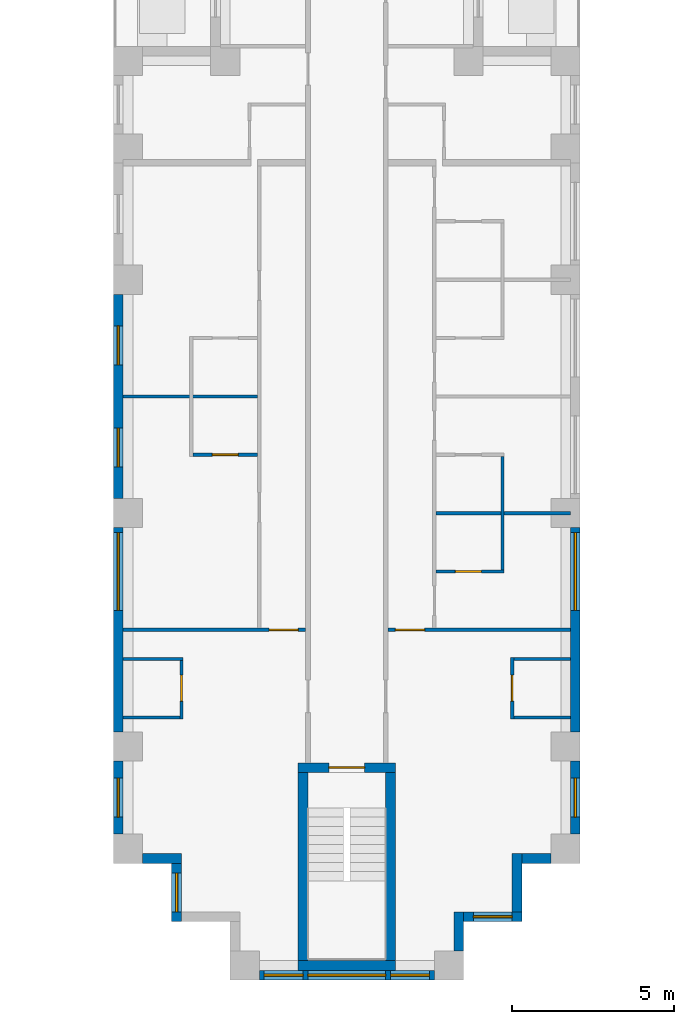
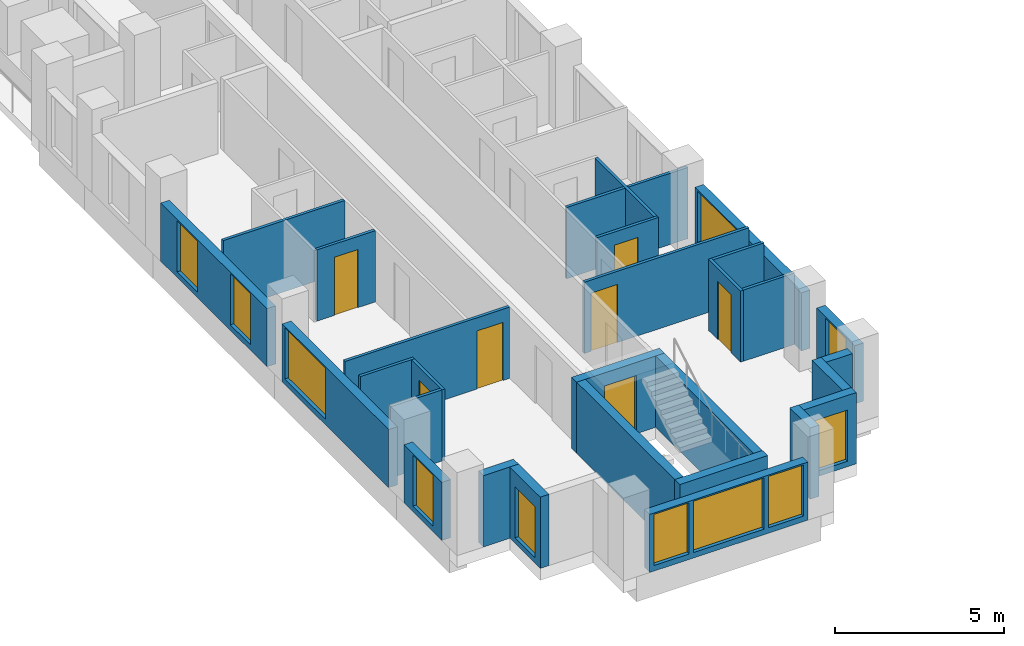
# One storey, part 3 of 15: 29 walls, 11 windows, 7 doors, 18 openings.
"""IFC4 building model written with IfcOpenShell, lengths in metres."""

from ifc_helpers import new_model, si_unit, direction, frame, frame_2d, origin, place, context, subcontext, project, spatial, rectangle, extrude, material, layer, layer_set, type_object, element, fill, save


model = new_model("IFC4")

# Units and contexts
model_context = context("Model", 3, precision=1e-05, world=origin(), true_north=direction((0.0, 1.0)))
body_context = subcontext(model_context, "Body", "Model", "MODEL_VIEW")
ifc_project = project(units=[si_unit("LENGTHUNIT", "METRE"), si_unit("AREAUNIT", "SQUARE_METRE"), si_unit("VOLUMEUNIT", "CUBIC_METRE"), si_unit("PLANEANGLEUNIT", "RADIAN"), si_unit("MASSUNIT", "GRAM", prefix="KILO")], contexts=[model_context])

# Site, building, storey
site_placement = place(None, origin())
site = spatial("IfcSite", under=ifc_project, at=site_placement, CompositionType="ELEMENT")
building_placement = place(site_placement, origin())
building = spatial("IfcBuilding", under=site, at=building_placement, Name="Fustian Cross Tower", CompositionType="ELEMENT")
storey_placement = place(building_placement, frame((0.0, 0.0, 29.699951171875)))
storey = spatial("IfcBuildingStorey", under=building, at=storey_placement, Name="L08", CompositionType="ELEMENT", Elevation=29.699951171875)

# Walls
ifc_material_1 = material(Name="Plasterboard on steel stud", Category="steel")
ifc_layer_1 = layer(ifc_material_1, 0.10009765625)
ifc_layer_set_1 = layer_set([ifc_layer_1], Name="Plasterboard on steel stud")
wall_type_1 = type_object("IfcWallType", Name="PARTITION 100 STUD", PredefinedType="PARTITIONING", material=ifc_layer_set_1)
wall_1_placement = place(storey_placement, frame((-6.89990234375, -35.10009765625, 0.0), z_axis=(0.0, 0.0, 1.0), x_axis=(1.0, 0.0, 0.0)))
element("IfcWall", 1, at=wall_1_placement, inside=storey, type_object=wall_type_1, Name="Partition 9", PredefinedType="PARTITIONING", context=body_context, shape_type="SweptSolid", body=[
    extrude(rectangle(XDim=1.75, YDim=0.10009765625, at=frame_2d((0.875, 0.0))), origin(), (0.0, 0.0, 1.0), 2.574951171875),
])
wall_2_placement = place(storey_placement, frame((-6.89990234375, -33.300048828125, 0.0), z_axis=(0.0, 0.0, 1.0), x_axis=(1.0, 0.0, 0.0)))
element("IfcWall", 2, at=wall_2_placement, inside=storey, type_object=wall_type_1, Name="Partition 10", PredefinedType="PARTITIONING", context=body_context, shape_type="SweptSolid", body=[
    extrude(rectangle(XDim=1.849853515625, YDim=0.10009765625, at=frame_2d((0.9248046875, 0.0))), origin(), (0.0, 0.0, 1.0), 2.574951171875),
])

# Wall, opening, door
wall_3_placement = place(storey_placement, frame((-6.89990234375, -32.39990234375, 0.0), z_axis=(0.0, 0.0, 1.0), x_axis=(1.0, 0.0, 0.0)))
wall_3 = element("IfcWall", 3, at=wall_3_placement, inside=storey, type_object=wall_type_1, Name="Partition 11", PredefinedType="PARTITIONING", context=body_context, shape_type="SweptSolid", body=[
    extrude(rectangle(XDim=5.625, YDim=0.10009765625, at=frame_2d((2.8125, 0.0))), origin(), (0.0, 0.0, 1.0), 2.574951171875),
])
opening_1_placement = place(wall_3_placement, frame((4.5, 0.0, 0.0)))
opening_1 = element("IfcOpeningElement", 4, at=opening_1_placement, cuts=wall_3, Name="Opening D06069", PredefinedType="OPENING", context=body_context, shape_type="SweptSolid", body=[
    extrude(rectangle(XDim=0.89990234375, YDim=2.10009765625, at=frame_2d((0.449951171875, 1.050048828125))), frame((0.0, 0.06005859375, 0.0), z_axis=(0.0, -1.0, 0.0), x_axis=(1.0, 0.0, 0.0)), (0.0, 0.0, 1.0), 0.1201171875),
])
ifc_material_2 = material(Name="Painted timber", Category="wood")
door_type_1 = type_object("IfcDoorType", Name="SWING DOOR 900", OperationType="SINGLE_SWING_LEFT", PredefinedType="DOOR", material=ifc_material_2)
door_1_placement = place(opening_1_placement, origin())
door_1 = element("IfcDoor", 5, at=door_1_placement, inside=storey, type_object=door_type_1, Name="Door D06069", OperationType="SINGLE_SWING_LEFT", OverallHeight=2.10009765625, OverallWidth=0.89990234375, PredefinedType="DOOR", context=body_context, shape_type="SweptSolid", body=[
    extrude(rectangle(XDim=0.89990234375, YDim=2.10009765625, at=frame_2d((0.449951171875, 1.050048828125))), frame((0.0, 0.02490234375, 0.0), z_axis=(0.0, -1.0, 0.0), x_axis=(1.0, 0.0, 0.0)), (0.0, 0.0, 1.0), 0.050048828125),
])
fill(opening_1, door_1)

# Wall
wall_4_placement = place(storey_placement, frame((-6.89990234375, -25.199951171875, 0.0), z_axis=(0.0, 0.0, 1.0), x_axis=(1.0, 0.0, 0.0)))
element("IfcWall", 6, at=wall_4_placement, inside=storey, type_object=wall_type_1, Name="Partition 12", PredefinedType="PARTITIONING", context=body_context, shape_type="SweptSolid", body=[
    extrude(rectangle(XDim=4.14990234375, YDim=0.10009765625, at=frame_2d((2.074951171875, 0.0))), origin(), (0.0, 0.0, 1.0), 2.574951171875),
])

# Wall, opening, door
wall_5_placement = place(storey_placement, frame((-5.10009765625, -35.14990234375, 0.0), z_axis=(0.0, 0.0, 1.0), x_axis=(0.0, 1.0, 0.0)))
wall_5 = element("IfcWall", 7, at=wall_5_placement, inside=storey, type_object=wall_type_1, Name="Partition 24", PredefinedType="PARTITIONING", context=body_context, shape_type="SweptSolid", body=[
    extrude(rectangle(XDim=1.7998046875, YDim=0.10009765625, at=frame_2d((0.89990234375, 0.0))), origin(), (0.0, 0.0, 1.0), 2.574951171875),
])
opening_2_placement = place(wall_5_placement, frame((0.550048828125, 0.0, 0.0)))
opening_2 = element("IfcOpeningElement", 8, at=opening_2_placement, cuts=wall_5, Name="Opening D06065", PredefinedType="OPENING", context=body_context, shape_type="SweptSolid", body=[
    extrude(rectangle(XDim=0.800048828125, YDim=2.10009765625, at=frame_2d((0.39990234375, 1.050048828125))), frame((0.0, 0.06005859375, 0.0), z_axis=(0.0, -1.0, 0.0), x_axis=(1.0, 0.0, 0.0)), (0.0, 0.0, 1.0), 0.1201171875),
])
ifc_material_3 = material(Name="Painted timber", Category="wood")
door_type_2 = type_object("IfcDoorType", Name="SWING DOOR 800", OperationType="SINGLE_SWING_LEFT", PredefinedType="DOOR", material=ifc_material_3)
door_2_placement = place(opening_2_placement, origin())
door_2 = element("IfcDoor", 9, at=door_2_placement, inside=storey, type_object=door_type_2, Name="Door D06065", OperationType="SINGLE_SWING_RIGHT", OverallHeight=2.10009765625, OverallWidth=0.800048828125, PredefinedType="DOOR", context=body_context, shape_type="SweptSolid", body=[
    extrude(rectangle(XDim=0.800048828125, YDim=2.10009765625, at=frame_2d((0.39990234375, 1.050048828125))), frame((0.0, 0.02490234375, 0.0), z_axis=(0.0, -1.0, 0.0), x_axis=(1.0, 0.0, 0.0)), (0.0, 0.0, 1.0), 0.050048828125),
])
fill(opening_2, door_2)

wall_6_placement = place(storey_placement, frame((-4.75, -27.0, 0.0), z_axis=(0.0, 0.0, 1.0), x_axis=(1.0, 0.0, 0.0)))
wall_6 = element("IfcWall", 10, at=wall_6_placement, inside=storey, type_object=wall_type_1, Name="Partition 27", PredefinedType="PARTITIONING", context=body_context, shape_type="SweptSolid", body=[
    extrude(rectangle(XDim=2.0, YDim=0.10009765625, at=frame_2d((1.0, 0.0))), origin(), (0.0, 0.0, 1.0), 2.574951171875),
])
opening_3_placement = place(wall_6_placement, frame((0.60009765625, 0.0, 0.0)))
opening_3 = element("IfcOpeningElement", 11, at=opening_3_placement, cuts=wall_6, Name="Opening D06071", PredefinedType="OPENING", context=body_context, shape_type="SweptSolid", body=[
    extrude(rectangle(XDim=0.800048828125, YDim=2.10009765625, at=frame_2d((0.39990234375, 1.050048828125))), frame((0.0, 0.06005859375, 0.0), z_axis=(0.0, -1.0, 0.0), x_axis=(1.0, 0.0, 0.0)), (0.0, 0.0, 1.0), 0.1201171875),
])
door_3_placement = place(opening_3_placement, origin())
door_3 = element("IfcDoor", 12, at=door_3_placement, inside=storey, type_object=door_type_2, Name="Door D06071", OperationType="SINGLE_SWING_LEFT", OverallHeight=2.10009765625, OverallWidth=0.800048828125, PredefinedType="DOOR", context=body_context, shape_type="SweptSolid", body=[
    extrude(rectangle(XDim=0.800048828125, YDim=2.10009765625, at=frame_2d((0.39990234375, 1.050048828125))), frame((0.0, 0.02490234375, 0.0), z_axis=(0.0, -1.0, 0.0), x_axis=(1.0, 0.0, 0.0)), (0.0, 0.0, 1.0), 0.050048828125),
])
fill(opening_3, door_3)

wall_7_placement = place(storey_placement, frame((1.27490234375, -32.39990234375, 0.0), z_axis=(0.0, 0.0, 1.0), x_axis=(1.0, 0.0, 0.0)))
wall_7 = element("IfcWall", 13, at=wall_7_placement, inside=storey, type_object=wall_type_1, Name="Partition 48", PredefinedType="PARTITIONING", context=body_context, shape_type="SweptSolid", body=[
    extrude(rectangle(XDim=5.625, YDim=0.10009765625, at=frame_2d((2.8125, 0.0))), origin(), (0.0, 0.0, 1.0), 2.574951171875),
])
opening_4_placement = place(wall_7_placement, frame((0.22509765625, 0.0, 0.0)))
opening_4 = element("IfcOpeningElement", 14, at=opening_4_placement, cuts=wall_7, Name="Opening D06053", PredefinedType="OPENING", context=body_context, shape_type="SweptSolid", body=[
    extrude(rectangle(XDim=0.89990234375, YDim=2.10009765625, at=frame_2d((0.449951171875, 1.050048828125))), frame((0.0, 0.06005859375, 0.0), z_axis=(0.0, -1.0, 0.0), x_axis=(1.0, 0.0, 0.0)), (0.0, 0.0, 1.0), 0.1201171875),
])
door_4_placement = place(opening_4_placement, origin())
door_4 = element("IfcDoor", 15, at=door_4_placement, inside=storey, type_object=door_type_1, Name="Door D06053", OperationType="SINGLE_SWING_LEFT", OverallHeight=2.10009765625, OverallWidth=0.89990234375, PredefinedType="DOOR", context=body_context, shape_type="SweptSolid", body=[
    extrude(rectangle(XDim=0.89990234375, YDim=2.10009765625, at=frame_2d((0.449951171875, 1.050048828125))), frame((0.0, 0.02490234375, 0.0), z_axis=(0.0, -1.0, 0.0), x_axis=(1.0, 0.0, 0.0)), (0.0, 0.0, 1.0), 0.050048828125),
])
fill(opening_4, door_4)

wall_8_placement = place(storey_placement, frame((2.75, -30.60009765625, 0.0), z_axis=(0.0, 0.0, 1.0), x_axis=(1.0, 0.0, 0.0)))
wall_8 = element("IfcWall", 16, at=wall_8_placement, inside=storey, type_object=wall_type_1, Name="Partition 63", PredefinedType="PARTITIONING", context=body_context, shape_type="SweptSolid", body=[
    extrude(rectangle(XDim=2.10009765625, YDim=0.10009765625, at=frame_2d((1.050048828125, 0.0))), origin(), (0.0, 0.0, 1.0), 2.574951171875),
])
opening_5_placement = place(wall_8_placement, frame((0.60009765625, 0.0, 0.0)))
opening_5 = element("IfcOpeningElement", 17, at=opening_5_placement, cuts=wall_8, Name="Opening D06061", PredefinedType="OPENING", context=body_context, shape_type="SweptSolid", body=[
    extrude(rectangle(XDim=0.800048828125, YDim=2.10009765625, at=frame_2d((0.39990234375, 1.050048828125))), frame((0.0, 0.06005859375, 0.0), z_axis=(0.0, -1.0, 0.0), x_axis=(1.0, 0.0, 0.0)), (0.0, 0.0, 1.0), 0.1201171875),
])
door_5_placement = place(opening_5_placement, origin())
door_5 = element("IfcDoor", 18, at=door_5_placement, inside=storey, type_object=door_type_2, Name="Door D06061", OperationType="SINGLE_SWING_LEFT", OverallHeight=2.10009765625, OverallWidth=0.800048828125, PredefinedType="DOOR", context=body_context, shape_type="SweptSolid", body=[
    extrude(rectangle(XDim=0.800048828125, YDim=2.10009765625, at=frame_2d((0.39990234375, 1.050048828125))), frame((0.0, 0.02490234375, 0.0), z_axis=(0.0, -1.0, 0.0), x_axis=(1.0, 0.0, 0.0)), (0.0, 0.0, 1.0), 0.050048828125),
])
fill(opening_5, door_5)

# Walls
wall_9_placement = place(storey_placement, frame((2.75, -28.800048828125, 0.0), z_axis=(0.0, 0.0, 1.0), x_axis=(1.0, 0.0, 0.0)))
element("IfcWall", 19, at=wall_9_placement, inside=storey, type_object=wall_type_1, Name="Partition 64", PredefinedType="PARTITIONING", context=body_context, shape_type="SweptSolid", body=[
    extrude(rectangle(XDim=4.14990234375, YDim=0.10009765625, at=frame_2d((2.074951171875, 0.0))), origin(), (0.0, 0.0, 1.0), 2.574951171875),
])
wall_10_placement = place(storey_placement, frame((4.800048828125, -30.550048828125, 0.0), z_axis=(0.0, 0.0, 1.0), x_axis=(0.0, 1.0, 0.0)))
element("IfcWall", 20, at=wall_10_placement, inside=storey, type_object=wall_type_1, Name="Partition 78", PredefinedType="PARTITIONING", context=body_context, shape_type="SweptSolid", body=[
    extrude(rectangle(XDim=3.5, YDim=0.10009765625, at=frame_2d((1.75, 0.0))), origin(), (0.0, 0.0, 1.0), 2.574951171875),
])

# Wall, opening, door
wall_11_placement = place(storey_placement, frame((5.10009765625, -35.14990234375, 0.0), z_axis=(0.0, 0.0, 1.0), x_axis=(0.0, 1.0, 0.0)))
wall_11 = element("IfcWall", 21, at=wall_11_placement, inside=storey, type_object=wall_type_1, Name="Partition 81", PredefinedType="PARTITIONING", context=body_context, shape_type="SweptSolid", body=[
    extrude(rectangle(XDim=1.89990234375, YDim=0.10009765625, at=frame_2d((0.949951171875, 0.0))), origin(), (0.0, 0.0, 1.0), 2.574951171875),
])
opening_6_placement = place(wall_11_placement, frame((0.550048828125, 0.0, 0.0)))
opening_6 = element("IfcOpeningElement", 22, at=opening_6_placement, cuts=wall_11, Name="Opening D06051", PredefinedType="OPENING", context=body_context, shape_type="SweptSolid", body=[
    extrude(rectangle(XDim=0.800048828125, YDim=2.10009765625, at=frame_2d((0.39990234375, 1.050048828125))), frame((0.0, 0.06005859375, 0.0), z_axis=(0.0, -1.0, 0.0), x_axis=(1.0, 0.0, 0.0)), (0.0, 0.0, 1.0), 0.1201171875),
])
door_6_placement = place(opening_6_placement, frame((0.800048828125, 0.0, 0.0), z_axis=(0.0, 0.0, 1.0), x_axis=(-1.0, 0.0, 0.0)))
door_6 = element("IfcDoor", 23, at=door_6_placement, inside=storey, type_object=door_type_2, Name="Door D06051", OperationType="SINGLE_SWING_LEFT", OverallHeight=2.10009765625, OverallWidth=0.800048828125, PredefinedType="DOOR", context=body_context, shape_type="SweptSolid", body=[
    extrude(rectangle(XDim=0.800048828125, YDim=2.10009765625, at=frame_2d((0.39990234375, 1.050048828125))), frame((0.0, 0.02490234375, 0.0), z_axis=(0.0, -1.0, 0.0), x_axis=(1.0, 0.0, 0.0)), (0.0, 0.0, 1.0), 0.050048828125),
])
fill(opening_6, door_6)

# Walls
for number, where, z_axis, x_axis, name in (
    (24, (5.14990234375, -35.10009765625, 0.0), (0.0, 0.0, 1.0), (1.0, 0.0, 0.0), "Partition 82"),
    (25, (5.14990234375, -33.300048828125, 0.0), (0.0, 0.0, 1.0), (1.0, 0.0, 0.0), "Partition 83"),
):
    element("IfcWall", number, at=place(storey_placement, frame(where, z_axis=z_axis, x_axis=x_axis)), inside=storey, type_object=wall_type_1, Name=name, PredefinedType="PARTITIONING", context=body_context, shape_type="SweptSolid", body=[
        extrude(rectangle(XDim=1.75, YDim=0.10009765625, at=frame_2d((0.875, 0.0))), origin(), (0.0, 0.0, 1.0), 2.574951171875),
    ])

# Wall, opening, door
ifc_material_4 = material(Name="Concrete C50/60", Category="concrete")
ifc_layer_2 = layer(ifc_material_4, 0.300048828125)
ifc_layer_set_2 = layer_set([ifc_layer_2], Name="Concrete C50/60")
wall_type_2 = type_object("IfcWallType", Name="STAIR ENCLOSURE WALL 300 C50/60", PredefinedType="SHEAR", material=ifc_layer_set_2)
wall_12_placement = place(storey_placement, frame((-1.5, -36.64990234375, 0.0), z_axis=(0.0, 0.0, 1.0), x_axis=(1.0, 0.0, 0.0)))
wall_12 = element("IfcWall", 26, at=wall_12_placement, inside=storey, type_object=wall_type_2, Name="Stair enclosure wall", PredefinedType="SHEAR", context=body_context, shape_type="SweptSolid", body=[
    extrude(rectangle(XDim=3.0, YDim=0.300048828125, at=frame_2d((1.5, 0.0))), origin(), (0.0, 0.0, 1.0), 2.574951171875),
])
opening_7_placement = place(wall_12_placement, frame((0.949951171875, 0.0, 0.0)))
opening_7 = element("IfcOpeningElement", 27, at=opening_7_placement, cuts=wall_12, Name="Opening CD-06-32", PredefinedType="OPENING", context=body_context, shape_type="SweptSolid", body=[
    extrude(rectangle(XDim=1.10009765625, YDim=2.10009765625, at=frame_2d((0.550048828125, 1.050048828125))), frame((0.0, 0.159912109375, 0.0), z_axis=(0.0, -1.0, 0.0), x_axis=(1.0, 0.0, 0.0)), (0.0, 0.0, 1.0), 0.320068359375),
])
ifc_material_5 = material(Name="Steel", Category="steel")
door_type_3 = type_object("IfcDoorType", Name="FIRE DOOR FD60S 1100X2100", OperationType="SINGLE_SWING_LEFT", PredefinedType="DOOR", material=ifc_material_5)
door_7_placement = place(opening_7_placement, frame((1.10009765625, 0.0, 0.0), z_axis=(0.0, 0.0, 1.0), x_axis=(-1.0, 0.0, 0.0)))
door_7 = element("IfcDoor", 28, at=door_7_placement, inside=storey, type_object=door_type_3, Name="Core door CD-06-32", OperationType="SINGLE_SWING_RIGHT", OverallHeight=2.10009765625, OverallWidth=1.10009765625, PredefinedType="DOOR", context=body_context, shape_type="SweptSolid", body=[
    extrude(rectangle(XDim=1.10009765625, YDim=2.10009765625, at=frame_2d((0.550048828125, 1.050048828125))), frame((0.0, 0.02490234375, 0.0), z_axis=(0.0, -1.0, 0.0), x_axis=(1.0, 0.0, 0.0)), (0.0, 0.0, 1.0), 0.050048828125),
])
fill(opening_7, door_7)

# Walls
wall_13_placement = place(storey_placement, frame((-1.5, -42.75, 0.0), z_axis=(0.0, 0.0, 1.0), x_axis=(1.0, 0.0, 0.0)))
element("IfcWall", 29, at=wall_13_placement, inside=storey, type_object=wall_type_2, Name="Stair enclosure wall", PredefinedType="SHEAR", context=body_context, shape_type="SweptSolid", body=[
    extrude(rectangle(XDim=3.0, YDim=0.300048828125, at=frame_2d((1.5, 0.0))), origin(), (0.0, 0.0, 1.0), 2.574951171875),
])
for number, where, z_axis, x_axis, name in (
    (30, (-1.35009765625, -36.800048828125, 0.0), (0.0, 0.0, 1.0), (0.0, -1.0, 0.0), "Stair enclosure wall"),
    (31, (1.35009765625, -36.800048828125, 0.0), (0.0, 0.0, 1.0), (0.0, -1.0, 0.0), "Stair enclosure wall"),
):
    element("IfcWall", number, at=place(storey_placement, frame(where, z_axis=z_axis, x_axis=x_axis)), inside=storey, type_object=wall_type_2, Name=name, PredefinedType="SHEAR", context=body_context, shape_type="SweptSolid", body=[
        extrude(rectangle(XDim=5.800048828125, YDim=0.300048828125, at=frame_2d((2.89990234375, 0.0))), origin(), (0.0, 0.0, 1.0), 2.574951171875),
    ])

# Wall, openings, windows
ifc_material_6 = material(Name="Dark aluminium cladding on insulated backing wall", Category="aluminium")
ifc_layer_3 = layer(ifc_material_6, 0.300048828125)
ifc_layer_set_3 = layer_set([ifc_layer_3], Name="Dark aluminium cladding on insulated backing wall")
wall_type_3 = type_object("IfcWallType", Name="XW1 EXTERNAL WALL 300", PredefinedType="SOLIDWALL", material=ifc_layer_set_3)
wall_14_placement = place(storey_placement, frame((-7.050048828125, -22.050048828125, 0.0), z_axis=(0.0, 0.0, 1.0), x_axis=(0.0, -1.0, 0.0)))
wall_14 = element("IfcWall", 32, at=wall_14_placement, inside=storey, type_object=wall_type_3, Name="External wall", PredefinedType="SOLIDWALL", context=body_context, shape_type="SweptSolid", body=[
    extrude(rectangle(XDim=6.300048828125, YDim=0.300048828125, at=frame_2d((3.14990234375, 0.0))), origin(), (0.0, 0.0, 1.0), 2.10009765625),
])
opening_8_placement = place(wall_14_placement, frame((0.97509765625, 0.0, 0.199951171875)))
opening_8 = element("IfcOpeningElement", 33, at=opening_8_placement, cuts=wall_14, Name="Opening WN3", PredefinedType="OPENING", context=body_context, shape_type="SweptSolid", body=[
    extrude(rectangle(XDim=1.199951171875, YDim=1.85009765625, at=frame_2d((0.60009765625, 0.925048828125))), frame((0.0, 0.159912109375, 0.0), z_axis=(0.0, -1.0, 0.0), x_axis=(1.0, 0.0, 0.0)), (0.0, 0.0, 1.0), 0.320068359375),
])
opening_9_placement = place(wall_14_placement, frame((4.125, 0.0, 0.199951171875)))
opening_9 = element("IfcOpeningElement", 34, at=opening_9_placement, cuts=wall_14, Name="Opening WN3", PredefinedType="OPENING", context=body_context, shape_type="SweptSolid", body=[
    extrude(rectangle(XDim=1.199951171875, YDim=1.85009765625, at=frame_2d((0.60009765625, 0.925048828125))), frame((0.0, 0.159912109375, 0.0), z_axis=(0.0, -1.0, 0.0), x_axis=(1.0, 0.0, 0.0)), (0.0, 0.0, 1.0), 0.320068359375),
])
ifc_material_7 = material(Name="Dark anodised aluminium and double glazing", Category="aluminium")
window_type_1 = type_object("IfcWindowType", Name="WN3 WINDOW 1200X1850", PartitioningType="SINGLE_PANEL", PredefinedType="WINDOW", material=ifc_material_7)
window_1_placement = place(opening_8_placement, origin())
window_1 = element("IfcWindow", 35, at=window_1_placement, inside=storey, type_object=window_type_1, Name="Window", OverallHeight=1.85009765625, OverallWidth=1.199951171875, PartitioningType="SINGLE_PANEL", PredefinedType="WINDOW", context=body_context, shape_type="SweptSolid", body=[
    extrude(rectangle(XDim=1.199951171875, YDim=1.85009765625, at=frame_2d((0.60009765625, 0.925048828125))), frame((0.0, 0.030029296875, 0.0), z_axis=(0.0, -1.0, 0.0), x_axis=(1.0, 0.0, 0.0)), (0.0, 0.0, 1.0), 0.06005859375),
])
fill(opening_8, window_1)
window_2_placement = place(opening_9_placement, origin())
window_2 = element("IfcWindow", 36, at=window_2_placement, inside=storey, type_object=window_type_1, Name="Window", OverallHeight=1.85009765625, OverallWidth=1.199951171875, PartitioningType="SINGLE_PANEL", PredefinedType="WINDOW", context=body_context, shape_type="SweptSolid", body=[
    extrude(rectangle(XDim=1.199951171875, YDim=1.85009765625, at=frame_2d((0.60009765625, 0.925048828125))), frame((0.0, 0.030029296875, 0.0), z_axis=(0.0, -1.0, 0.0), x_axis=(1.0, 0.0, 0.0)), (0.0, 0.0, 1.0), 0.06005859375),
])
fill(opening_9, window_2)

# Wall, opening, window
wall_15_placement = place(storey_placement, frame((-7.050048828125, -29.25, 0.0), z_axis=(0.0, 0.0, 1.0), x_axis=(0.0, -1.0, 0.0)))
wall_15 = element("IfcWall", 37, at=wall_15_placement, inside=storey, type_object=wall_type_3, Name="External wall", PredefinedType="SOLIDWALL", context=body_context, shape_type="SweptSolid", body=[
    extrude(rectangle(XDim=6.300048828125, YDim=0.300048828125, at=frame_2d((3.14990234375, 0.0))), origin(), (0.0, 0.0, 1.0), 2.10009765625),
])
opening_10_placement = place(wall_15_placement, frame((0.14990234375, 0.0, 0.199951171875)))
opening_10 = element("IfcOpeningElement", 38, at=opening_10_placement, cuts=wall_15, Name="Opening WN1", PredefinedType="OPENING", context=body_context, shape_type="SweptSolid", body=[
    extrude(rectangle(XDim=2.39990234375, YDim=1.85009765625, at=frame_2d((1.199951171875, 0.925048828125))), frame((0.0, 0.159912109375, 0.0), z_axis=(0.0, -1.0, 0.0), x_axis=(1.0, 0.0, 0.0)), (0.0, 0.0, 1.0), 0.320068359375),
])
ifc_material_8 = material(Name="Dark anodised aluminium and double glazing", Category="aluminium")
window_type_2 = type_object("IfcWindowType", Name="WN1 WINDOW 2400X1850", PartitioningType="SINGLE_PANEL", PredefinedType="WINDOW", material=ifc_material_8)
window_3_placement = place(opening_10_placement, origin())
window_3 = element("IfcWindow", 39, at=window_3_placement, inside=storey, type_object=window_type_2, Name="Window", OverallHeight=1.85009765625, OverallWidth=2.39990234375, PartitioningType="SINGLE_PANEL", PredefinedType="WINDOW", context=body_context, shape_type="SweptSolid", body=[
    extrude(rectangle(XDim=2.39990234375, YDim=1.85009765625, at=frame_2d((1.199951171875, 0.925048828125))), frame((0.0, 0.030029296875, 0.0), z_axis=(0.0, -1.0, 0.0), x_axis=(1.0, 0.0, 0.0)), (0.0, 0.0, 1.0), 0.06005859375),
])
fill(opening_10, window_3)

wall_16_placement = place(storey_placement, frame((-7.050048828125, -36.449951171875, 0.0), z_axis=(0.0, 0.0, 1.0), x_axis=(0.0, -1.0, 0.0)))
wall_16 = element("IfcWall", 40, at=wall_16_placement, inside=storey, type_object=wall_type_3, Name="External wall", PredefinedType="SOLIDWALL", context=body_context, shape_type="SweptSolid", body=[
    extrude(rectangle(XDim=2.25, YDim=0.300048828125, at=frame_2d((1.125, 0.0))), origin(), (0.0, 0.0, 1.0), 2.10009765625),
])
opening_11_placement = place(wall_16_placement, frame((0.52490234375, 0.0, 0.199951171875)))
opening_11 = element("IfcOpeningElement", 41, at=opening_11_placement, cuts=wall_16, Name="Opening WN3", PredefinedType="OPENING", context=body_context, shape_type="SweptSolid", body=[
    extrude(rectangle(XDim=1.199951171875, YDim=1.85009765625, at=frame_2d((0.60009765625, 0.925048828125))), frame((0.0, 0.159912109375, 0.0), z_axis=(0.0, -1.0, 0.0), x_axis=(1.0, 0.0, 0.0)), (0.0, 0.0, 1.0), 0.320068359375),
])
window_4_placement = place(opening_11_placement, origin())
window_4 = element("IfcWindow", 42, at=window_4_placement, inside=storey, type_object=window_type_1, Name="Window", OverallHeight=1.85009765625, OverallWidth=1.199951171875, PartitioningType="SINGLE_PANEL", PredefinedType="WINDOW", context=body_context, shape_type="SweptSolid", body=[
    extrude(rectangle(XDim=1.199951171875, YDim=1.85009765625, at=frame_2d((0.60009765625, 0.925048828125))), frame((0.0, 0.030029296875, 0.0), z_axis=(0.0, -1.0, 0.0), x_axis=(1.0, 0.0, 0.0)), (0.0, 0.0, 1.0), 0.06005859375),
])
fill(opening_11, window_4)

# Wall
wall_17_placement = place(storey_placement, frame((-6.300048828125, -39.449951171875, 0.0), z_axis=(0.0, 0.0, 1.0), x_axis=(1.0, 0.0, 0.0)))
element("IfcWall", 43, at=wall_17_placement, inside=storey, type_object=wall_type_3, Name="External wall", PredefinedType="SOLIDWALL", context=body_context, shape_type="SweptSolid", body=[
    extrude(rectangle(XDim=1.199951171875, YDim=0.300048828125, at=frame_2d((0.60009765625, 0.0))), origin(), (0.0, 0.0, 1.0), 2.574951171875),
])

# Wall, opening, window
wall_18_placement = place(storey_placement, frame((-5.25, -39.60009765625, 0.0), z_axis=(0.0, 0.0, 1.0), x_axis=(0.0, -1.0, 0.0)))
wall_18 = element("IfcWall", 44, at=wall_18_placement, inside=storey, type_object=wall_type_3, Name="External wall", PredefinedType="SOLIDWALL", context=body_context, shape_type="SweptSolid", body=[
    extrude(rectangle(XDim=1.7998046875, YDim=0.300048828125, at=frame_2d((0.89990234375, 0.0))), origin(), (0.0, 0.0, 1.0), 2.574951171875),
])
opening_12_placement = place(wall_18_placement, frame((0.300048828125, 0.0, 0.199951171875)))
opening_12 = element("IfcOpeningElement", 45, at=opening_12_placement, cuts=wall_18, Name="Opening WN3", PredefinedType="OPENING", context=body_context, shape_type="SweptSolid", body=[
    extrude(rectangle(XDim=1.199951171875, YDim=1.85009765625, at=frame_2d((0.60009765625, 0.925048828125))), frame((0.0, 0.159912109375, 0.0), z_axis=(0.0, -1.0, 0.0), x_axis=(1.0, 0.0, 0.0)), (0.0, 0.0, 1.0), 0.320068359375),
])
window_5_placement = place(opening_12_placement, origin())
window_5 = element("IfcWindow", 46, at=window_5_placement, inside=storey, type_object=window_type_1, Name="Window", OverallHeight=1.85009765625, OverallWidth=1.199951171875, PartitioningType="SINGLE_PANEL", PredefinedType="WINDOW", context=body_context, shape_type="SweptSolid", body=[
    extrude(rectangle(XDim=1.199951171875, YDim=1.85009765625, at=frame_2d((0.60009765625, 0.925048828125))), frame((0.0, 0.030029296875, 0.0), z_axis=(0.0, -1.0, 0.0), x_axis=(1.0, 0.0, 0.0)), (0.0, 0.0, 1.0), 0.06005859375),
])
fill(opening_12, window_5)

# Wall, openings, windows
wall_19_placement = place(storey_placement, frame((-2.699951171875, -43.050048828125, 0.0), z_axis=(0.0, 0.0, 1.0), x_axis=(1.0, 0.0, 0.0)))
wall_19 = element("IfcWall", 47, at=wall_19_placement, inside=storey, type_object=wall_type_3, Name="External wall", PredefinedType="SOLIDWALL", context=body_context, shape_type="SweptSolid", body=[
    extrude(rectangle(XDim=5.39990234375, YDim=0.300048828125, at=frame_2d((2.699951171875, 0.0))), origin(), (0.0, 0.0, 1.0), 2.10009765625),
])
opening_13_placement = place(wall_19_placement, frame((1.5, 0.0, 0.199951171875)))
opening_13 = element("IfcOpeningElement", 48, at=opening_13_placement, cuts=wall_19, Name="Opening WN1", PredefinedType="OPENING", context=body_context, shape_type="SweptSolid", body=[
    extrude(rectangle(XDim=2.39990234375, YDim=1.85009765625, at=frame_2d((1.199951171875, 0.925048828125))), frame((0.0, 0.159912109375, 0.0), z_axis=(0.0, -1.0, 0.0), x_axis=(1.0, 0.0, 0.0)), (0.0, 0.0, 1.0), 0.320068359375),
])
opening_14_placement = place(wall_19_placement, frame((0.14990234375, 0.0, 0.199951171875)))
opening_14 = element("IfcOpeningElement", 49, at=opening_14_placement, cuts=wall_19, Name="Opening WN3", PredefinedType="OPENING", context=body_context, shape_type="SweptSolid", body=[
    extrude(rectangle(XDim=1.199951171875, YDim=1.85009765625, at=frame_2d((0.60009765625, 0.925048828125))), frame((0.0, 0.159912109375, 0.0), z_axis=(0.0, -1.0, 0.0), x_axis=(1.0, 0.0, 0.0)), (0.0, 0.0, 1.0), 0.320068359375),
])
opening_15_placement = place(wall_19_placement, frame((4.050048828125, 0.0, 0.199951171875)))
opening_15 = element("IfcOpeningElement", 50, at=opening_15_placement, cuts=wall_19, Name="Opening WN3", PredefinedType="OPENING", context=body_context, shape_type="SweptSolid", body=[
    extrude(rectangle(XDim=1.199951171875, YDim=1.85009765625, at=frame_2d((0.60009765625, 0.925048828125))), frame((0.0, 0.159912109375, 0.0), z_axis=(0.0, -1.0, 0.0), x_axis=(1.0, 0.0, 0.0)), (0.0, 0.0, 1.0), 0.320068359375),
])
window_6_placement = place(opening_13_placement, origin())
window_6 = element("IfcWindow", 51, at=window_6_placement, inside=storey, type_object=window_type_2, Name="Window", OverallHeight=1.85009765625, OverallWidth=2.39990234375, PartitioningType="SINGLE_PANEL", PredefinedType="WINDOW", context=body_context, shape_type="SweptSolid", body=[
    extrude(rectangle(XDim=2.39990234375, YDim=1.85009765625, at=frame_2d((1.199951171875, 0.925048828125))), frame((0.0, 0.030029296875, 0.0), z_axis=(0.0, -1.0, 0.0), x_axis=(1.0, 0.0, 0.0)), (0.0, 0.0, 1.0), 0.06005859375),
])
fill(opening_13, window_6)
window_7_placement = place(opening_14_placement, origin())
window_7 = element("IfcWindow", 52, at=window_7_placement, inside=storey, type_object=window_type_1, Name="Window", OverallHeight=1.85009765625, OverallWidth=1.199951171875, PartitioningType="SINGLE_PANEL", PredefinedType="WINDOW", context=body_context, shape_type="SweptSolid", body=[
    extrude(rectangle(XDim=1.199951171875, YDim=1.85009765625, at=frame_2d((0.60009765625, 0.925048828125))), frame((0.0, 0.030029296875, 0.0), z_axis=(0.0, -1.0, 0.0), x_axis=(1.0, 0.0, 0.0)), (0.0, 0.0, 1.0), 0.06005859375),
])
fill(opening_14, window_7)
window_8_placement = place(opening_15_placement, origin())
window_8 = element("IfcWindow", 53, at=window_8_placement, inside=storey, type_object=window_type_1, Name="Window", OverallHeight=1.85009765625, OverallWidth=1.199951171875, PartitioningType="SINGLE_PANEL", PredefinedType="WINDOW", context=body_context, shape_type="SweptSolid", body=[
    extrude(rectangle(XDim=1.199951171875, YDim=1.85009765625, at=frame_2d((0.60009765625, 0.925048828125))), frame((0.0, 0.030029296875, 0.0), z_axis=(0.0, -1.0, 0.0), x_axis=(1.0, 0.0, 0.0)), (0.0, 0.0, 1.0), 0.06005859375),
])
fill(opening_15, window_8)

# Wall
wall_20_placement = place(storey_placement, frame((3.449951171875, -42.300048828125, 0.0), z_axis=(0.0, 0.0, 1.0), x_axis=(0.0, 1.0, 0.0)))
element("IfcWall", 54, at=wall_20_placement, inside=storey, type_object=wall_type_3, Name="External wall", PredefinedType="SOLIDWALL", context=body_context, shape_type="SweptSolid", body=[
    extrude(rectangle(XDim=1.199951171875, YDim=0.300048828125, at=frame_2d((0.60009765625, 0.0))), origin(), (0.0, 0.0, 1.0), 2.574951171875),
])

# Wall, opening, window
wall_21_placement = place(storey_placement, frame((3.60009765625, -41.25, 0.0), z_axis=(0.0, 0.0, 1.0), x_axis=(1.0, 0.0, 0.0)))
wall_21 = element("IfcWall", 55, at=wall_21_placement, inside=storey, type_object=wall_type_3, Name="External wall", PredefinedType="SOLIDWALL", context=body_context, shape_type="SweptSolid", body=[
    extrude(rectangle(XDim=1.7998046875, YDim=0.300048828125, at=frame_2d((0.89990234375, 0.0))), origin(), (0.0, 0.0, 1.0), 2.574951171875),
])
opening_16_placement = place(wall_21_placement, frame((0.300048828125, 0.0, 0.199951171875)))
opening_16 = element("IfcOpeningElement", 56, at=opening_16_placement, cuts=wall_21, Name="Opening WN3", PredefinedType="OPENING", context=body_context, shape_type="SweptSolid", body=[
    extrude(rectangle(XDim=1.199951171875, YDim=1.85009765625, at=frame_2d((0.60009765625, 0.925048828125))), frame((0.0, 0.159912109375, 0.0), z_axis=(0.0, -1.0, 0.0), x_axis=(1.0, 0.0, 0.0)), (0.0, 0.0, 1.0), 0.320068359375),
])
window_9_placement = place(opening_16_placement, origin())
window_9 = element("IfcWindow", 57, at=window_9_placement, inside=storey, type_object=window_type_1, Name="Window", OverallHeight=1.85009765625, OverallWidth=1.199951171875, PartitioningType="SINGLE_PANEL", PredefinedType="WINDOW", context=body_context, shape_type="SweptSolid", body=[
    extrude(rectangle(XDim=1.199951171875, YDim=1.85009765625, at=frame_2d((0.60009765625, 0.925048828125))), frame((0.0, 0.030029296875, 0.0), z_axis=(0.0, -1.0, 0.0), x_axis=(1.0, 0.0, 0.0)), (0.0, 0.0, 1.0), 0.06005859375),
])
fill(opening_16, window_9)

# Walls
wall_22_placement = place(storey_placement, frame((5.25, -41.10009765625, 0.0), z_axis=(0.0, 0.0, 1.0), x_axis=(0.0, 1.0, 0.0)))
element("IfcWall", 58, at=wall_22_placement, inside=storey, type_object=wall_type_3, Name="External wall", PredefinedType="SOLIDWALL", context=body_context, shape_type="SweptSolid", body=[
    extrude(rectangle(XDim=1.800048828125, YDim=0.300048828125, at=frame_2d((0.89990234375, 0.0))), origin(), (0.0, 0.0, 1.0), 2.574951171875),
])
wall_23_placement = place(storey_placement, frame((5.39990234375, -39.449951171875, 0.0), z_axis=(0.0, 0.0, 1.0), x_axis=(1.0, 0.0, 0.0)))
element("IfcWall", 59, at=wall_23_placement, inside=storey, type_object=wall_type_3, Name="External wall", PredefinedType="SOLIDWALL", context=body_context, shape_type="SweptSolid", body=[
    extrude(rectangle(XDim=0.900146484375, YDim=0.300048828125, at=frame_2d((0.4501953125, 0.0))), origin(), (0.0, 0.0, 1.0), 2.574951171875),
])

# Wall, opening, window
wall_24_placement = place(storey_placement, frame((7.050048828125, -38.699951171875, 0.0), z_axis=(0.0, 0.0, 1.0), x_axis=(0.0, 1.0, 0.0)))
wall_24 = element("IfcWall", 60, at=wall_24_placement, inside=storey, type_object=wall_type_3, Name="External wall", PredefinedType="SOLIDWALL", context=body_context, shape_type="SweptSolid", body=[
    extrude(rectangle(XDim=2.25, YDim=0.300048828125, at=frame_2d((1.125, 0.0))), origin(), (0.0, 0.0, 1.0), 2.10009765625),
])
opening_17_placement = place(wall_24_placement, frame((0.52490234375, 0.0, 0.199951171875)))
opening_17 = element("IfcOpeningElement", 61, at=opening_17_placement, cuts=wall_24, Name="Opening WN3", PredefinedType="OPENING", context=body_context, shape_type="SweptSolid", body=[
    extrude(rectangle(XDim=1.199951171875, YDim=1.85009765625, at=frame_2d((0.60009765625, 0.925048828125))), frame((0.0, 0.159912109375, 0.0), z_axis=(0.0, -1.0, 0.0), x_axis=(1.0, 0.0, 0.0)), (0.0, 0.0, 1.0), 0.320068359375),
])
window_10_placement = place(opening_17_placement, origin())
window_10 = element("IfcWindow", 62, at=window_10_placement, inside=storey, type_object=window_type_1, Name="Window", OverallHeight=1.85009765625, OverallWidth=1.199951171875, PartitioningType="SINGLE_PANEL", PredefinedType="WINDOW", context=body_context, shape_type="SweptSolid", body=[
    extrude(rectangle(XDim=1.199951171875, YDim=1.85009765625, at=frame_2d((0.60009765625, 0.925048828125))), frame((0.0, 0.030029296875, 0.0), z_axis=(0.0, -1.0, 0.0), x_axis=(1.0, 0.0, 0.0)), (0.0, 0.0, 1.0), 0.06005859375),
])
fill(opening_17, window_10)

wall_25_placement = place(storey_placement, frame((7.050048828125, -35.550048828125, 0.0), z_axis=(0.0, 0.0, 1.0), x_axis=(0.0, 1.0, 0.0)))
wall_25 = element("IfcWall", 63, at=wall_25_placement, inside=storey, type_object=wall_type_3, Name="External wall", PredefinedType="SOLIDWALL", context=body_context, shape_type="SweptSolid", body=[
    extrude(rectangle(XDim=6.300048828125, YDim=0.300048828125, at=frame_2d((3.14990234375, 0.0))), origin(), (0.0, 0.0, 1.0), 2.10009765625),
])
opening_18_placement = place(wall_25_placement, frame((3.75, 0.0, 0.199951171875)))
opening_18 = element("IfcOpeningElement", 64, at=opening_18_placement, cuts=wall_25, Name="Opening WN1", PredefinedType="OPENING", context=body_context, shape_type="SweptSolid", body=[
    extrude(rectangle(XDim=2.39990234375, YDim=1.85009765625, at=frame_2d((1.199951171875, 0.925048828125))), frame((0.0, 0.159912109375, 0.0), z_axis=(0.0, -1.0, 0.0), x_axis=(1.0, 0.0, 0.0)), (0.0, 0.0, 1.0), 0.320068359375),
])
window_11_placement = place(opening_18_placement, origin())
window_11 = element("IfcWindow", 65, at=window_11_placement, inside=storey, type_object=window_type_2, Name="Window", OverallHeight=1.85009765625, OverallWidth=2.39990234375, PartitioningType="SINGLE_PANEL", PredefinedType="WINDOW", context=body_context, shape_type="SweptSolid", body=[
    extrude(rectangle(XDim=2.39990234375, YDim=1.85009765625, at=frame_2d((1.199951171875, 0.925048828125))), frame((0.0, 0.030029296875, 0.0), z_axis=(0.0, -1.0, 0.0), x_axis=(1.0, 0.0, 0.0)), (0.0, 0.0, 1.0), 0.06005859375),
])
fill(opening_18, window_11)

save(model, "model.ifc")
